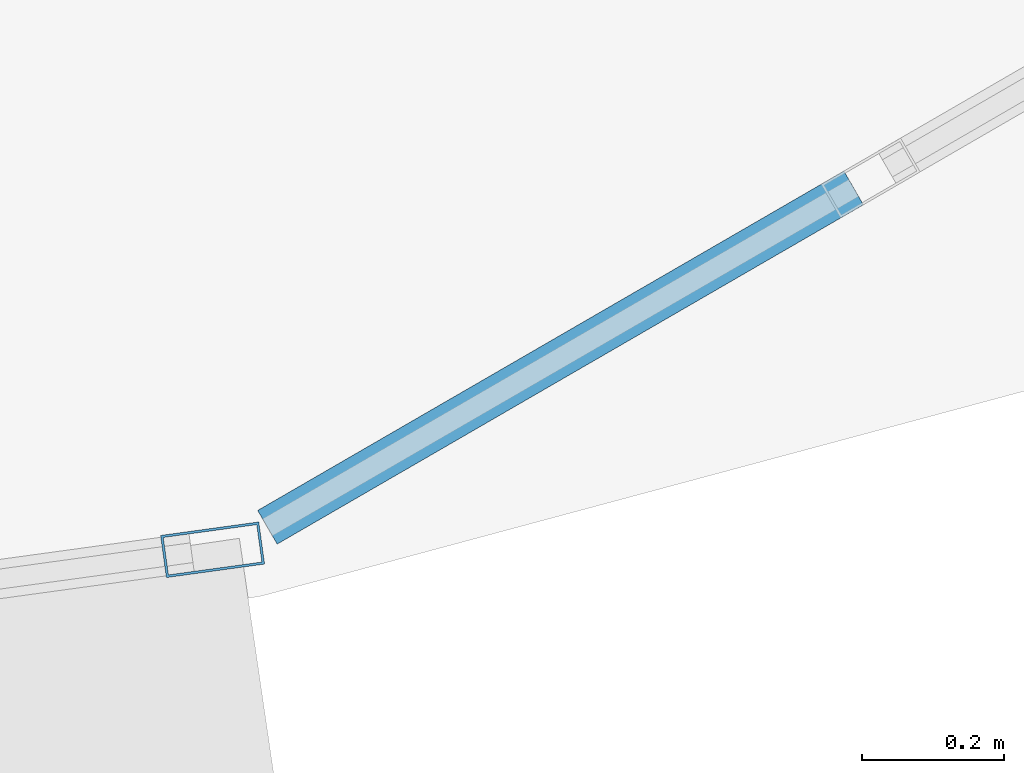
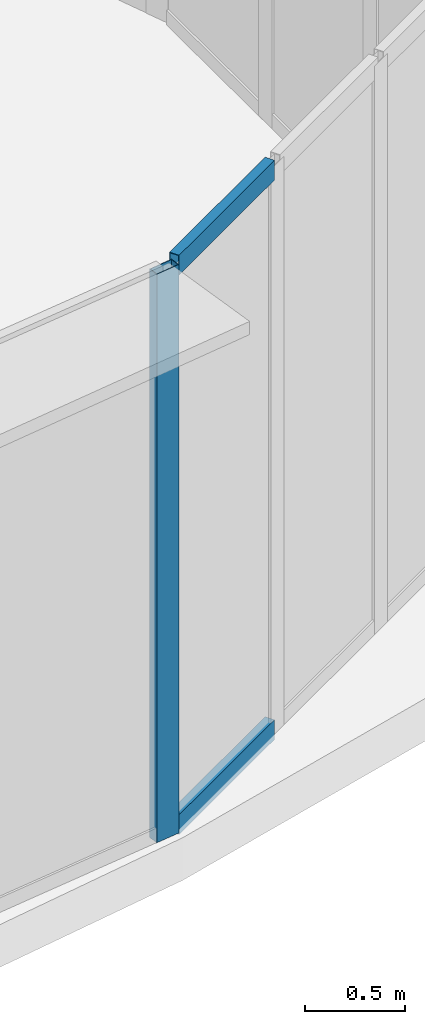
# One storey, part 13 of 36: 3 members, 2 elements without a shape of their own.
"""IFC4 building model written with IfcOpenShell, lengths in metres."""

from ifc_helpers import new_model, si_unit, direction, frame, origin, origin_2d, place, context, subcontext, project, spatial, hollow_rectangle, extrude, source, transform, mapped, material, layer, layer_set, material_profile, profile_set, type_object, element, aggregate, save


model = new_model("IFC4")

# Units and contexts
model_context = context("Model", 3, precision=1e-05, world=origin(), true_north=direction((0.0, 1.0)))
body_context = subcontext(model_context, "Body", "Model", "MODEL_VIEW")
ifc_project = project(units=[si_unit("LENGTHUNIT", "METRE"), si_unit("AREAUNIT", "SQUARE_METRE"), si_unit("VOLUMEUNIT", "CUBIC_METRE"), si_unit("PLANEANGLEUNIT", "RADIAN"), si_unit("MASSUNIT", "GRAM", prefix="KILO"), si_unit("THERMODYNAMICTEMPERATUREUNIT", "KELVIN"), si_unit("POWERUNIT", "WATT")], contexts=[model_context])

# Site, building, storey
site_placement = place(None, origin())
site = spatial("IfcSite", under=ifc_project, at=site_placement, CompositionType="ELEMENT")
building_placement = place(site_placement, origin())
building = spatial("IfcBuilding", under=site, at=building_placement, Name="Yunzhuo Pagoda Commons", CompositionType="ELEMENT")
storey_placement = place(building_placement, frame((0.0, 0.0, 263.179931640625)))
storey = spatial("IfcBuildingStorey", under=building, at=storey_placement, Name="L66", CompositionType="ELEMENT", Elevation=263.179931640625)

# Curtain wall, member
ifc_material = material(Name="Anodized aluminium 6063-T6", Category="aluminium")
ifc_layer_1 = layer(ifc_material, 0.139892578125)
ifc_layer_set_1 = layer_set([ifc_layer_1], Name="Anodized aluminium 6063-T6")
curtain_wall_type_1 = type_object("IfcCurtainWallType", Name="CW-HI High-Zone Ribbon Curtain Wall", PredefinedType="NOTDEFINED", material=ifc_layer_set_1)
curtain_wall_1_placement = place(storey_placement, origin())
curtain_wall_1 = element("IfcCurtainWall", 1, at=curtain_wall_1_placement, inside=storey, type_object=curtain_wall_type_1, Name="L66 curtain wall CW-L66-F1B5", PredefinedType="NOTDEFINED")
ifc_material_profile_1 = material_profile(ifc_material, hollow_rectangle(XDim=0.06005859375, YDim=0.139892578125, WallThickness=0.00341796875, at=origin_2d()), Name="Anodized aluminium 6063-T6")
ifc_profile_set_1 = profile_set([ifc_material_profile_1], Name="Anodized aluminium 6063-T6")
member_type_1 = type_object("IfcMemberType", Name="CW-HI-M Mullion RHS 140x60x3.5", PredefinedType="MULLION", material=ifc_profile_set_1)
shared_shape_1 = source(origin(), body_context, "Body", "SweptSolid", [
    extrude(hollow_rectangle(XDim=0.06005859375, YDim=0.139892578125, WallThickness=0.00341796875, at=origin_2d()), origin(), (0.0, 0.0, 1.0), 3.469970703125),
])
member_1_placement = place(storey_placement, frame((77.897216796875, 20.41943359375, 0.0), z_axis=(0.0, 0.0, 1.0), x_axis=(-0.136099051399, 0.990695234776, 0.0)))
member_1 = element("IfcMember", 2, at=member_1_placement, type_object=member_type_1, Name="CW mullion 2", PredefinedType="MULLION", context=body_context, shape_type="MappedRepresentation", body=[
    mapped(shared_shape_1, transform((0.0, 0.0, 0.0), scale=1.0)),
])
aggregate(curtain_wall_1, [member_1])

# Curtain wall, members
ifc_layer_2 = layer(ifc_material, 0.1298828125)
ifc_layer_set_2 = layer_set([ifc_layer_2], Name="Anodized aluminium 6063-T6")
curtain_wall_type_2 = type_object("IfcCurtainWallType", Name="CW-VTX Rounded Corner Curtain Wall", PredefinedType="NOTDEFINED", material=ifc_layer_set_2)
curtain_wall_2_placement = place(storey_placement, origin())
curtain_wall_2 = element("IfcCurtainWall", 3, at=curtain_wall_2_placement, inside=storey, type_object=curtain_wall_type_2, Name="L66 curtain wall CW-L66-VTX2S1", PredefinedType="NOTDEFINED")
ifc_material_profile_2 = material_profile(ifc_material, hollow_rectangle(XDim=0.054931640625, YDim=0.1201171875, WallThickness=0.00341796875, at=origin_2d()), Name="Anodized aluminium 6063-T6")
ifc_profile_set_2 = profile_set([ifc_material_profile_2], Name="Anodized aluminium 6063-T6")
member_type_2 = type_object("IfcMemberType", Name="CW-VTX-T Transom RHS 120x55x3.5", PredefinedType="USERDEFINED", material=ifc_profile_set_2)
shared_shape_2 = source(origin(), body_context, "Body", "SweptSolid", [
    extrude(hollow_rectangle(XDim=0.054931640625, YDim=0.1201171875, WallThickness=0.00341796875, at=origin_2d()), origin(), (0.0, 0.0, 1.0), 0.955810546875),
])
member_2_placement = place(storey_placement, frame((77.974609375, 20.451171875, 0.02783203125), z_axis=(0.86547874954, 0.50094563986, 0.0), x_axis=(-0.50094563986, 0.86547874954, 0.0)))
member_2 = element("IfcMember", 4, at=member_2_placement, type_object=member_type_2, Name="CW transom 1.1", ObjectType="TRANSOM", PredefinedType="USERDEFINED", context=body_context, shape_type="MappedRepresentation", body=[
    mapped(shared_shape_2, transform((0.0, 0.0, 0.0), scale=1.0)),
])
member_3_placement = place(storey_placement, frame((77.974609375, 20.451171875, 3.442626953125), z_axis=(0.86547874954, 0.50094563986, 0.0), x_axis=(-0.50094563986, 0.86547874954, 0.0)))
member_3 = element("IfcMember", 5, at=member_3_placement, type_object=member_type_2, Name="CW transom 1.2", ObjectType="TRANSOM", PredefinedType="USERDEFINED", context=body_context, shape_type="MappedRepresentation", body=[
    mapped(shared_shape_2, transform((0.0, 0.0, 0.0), scale=1.0)),
])
aggregate(curtain_wall_2, [member_2, member_3])

save(model, "model.ifc")
